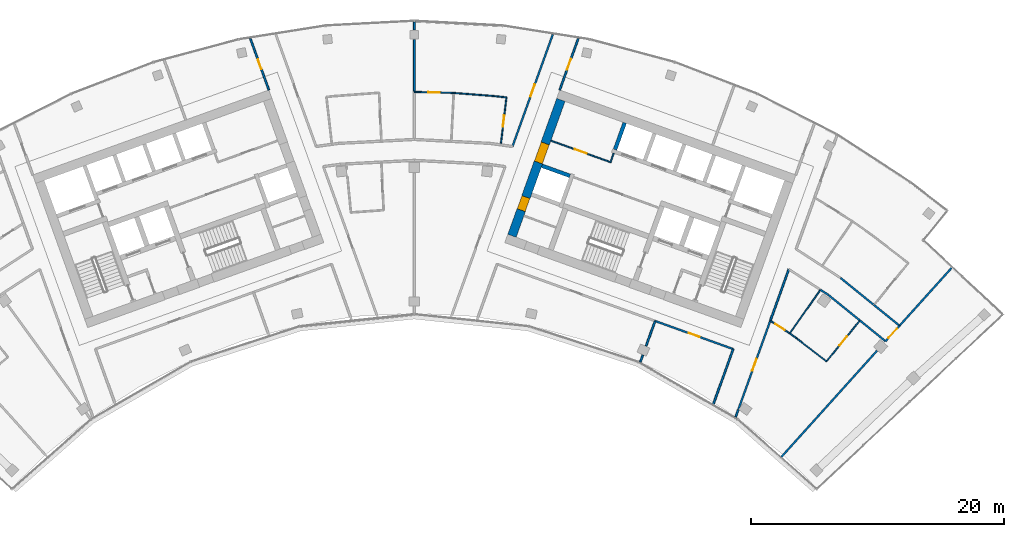
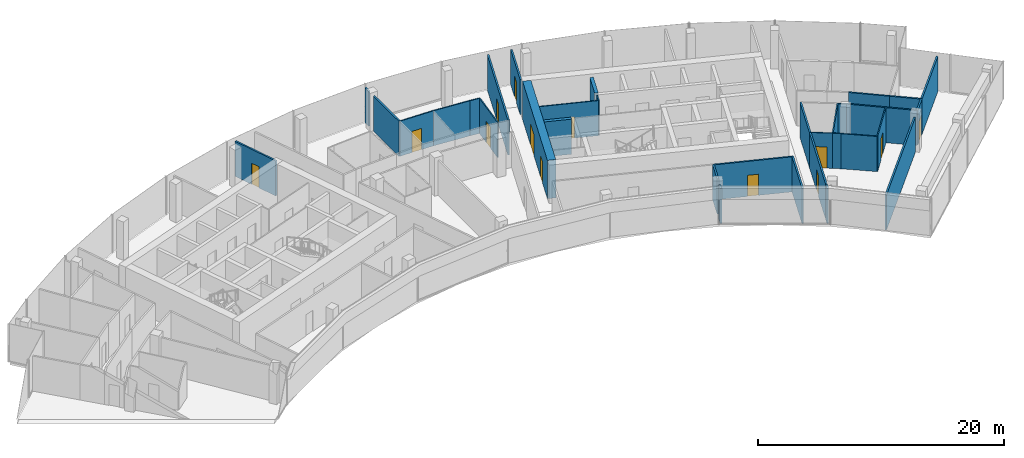
# One storey, part 15 of 18: 34 walls, 13 doors, 13 openings.
"""IFC4 building model written with IfcOpenShell, lengths in metres."""

from ifc_helpers import new_model, si_unit, direction, frame, frame_2d, origin, place, context, subcontext, project, spatial, rectangle, extrude, material, layer, layer_set, type_object, element, fill, save


model = new_model("IFC4")

# Units and contexts
model_context = context("Model", 3, precision=1e-05, world=origin(), true_north=direction((0.0, 1.0)))
body_context = subcontext(model_context, "Body", "Model", "MODEL_VIEW")
ifc_project = project(units=[si_unit("LENGTHUNIT", "METRE"), si_unit("AREAUNIT", "SQUARE_METRE"), si_unit("VOLUMEUNIT", "CUBIC_METRE"), si_unit("PLANEANGLEUNIT", "RADIAN"), si_unit("MASSUNIT", "GRAM", prefix="KILO")], contexts=[model_context])

# Site, building, storey
site_placement = place(None, origin())
site = spatial("IfcSite", under=ifc_project, at=site_placement, CompositionType="ELEMENT")
building_placement = place(site_placement, origin())
building = spatial("IfcBuilding", under=site, at=building_placement, Name="Stone Belt Terrace Tower", CompositionType="ELEMENT")
storey_placement = place(building_placement, frame((0.0, 0.0, 284.60009765625)))
storey = spatial("IfcBuildingStorey", under=building, at=storey_placement, Name="L69", CompositionType="ELEMENT", Elevation=284.60009765625)

# Wall
ifc_material_1 = material(Name="Plasterboard partition")
ifc_layer_1 = layer(ifc_material_1, 0.10009765625)
ifc_layer_set_1 = layer_set([ifc_layer_1], Name="Core partition 100")
wall_type_1 = type_object("IfcWallType", Name="Core partition 100", PredefinedType="PARTITIONING", material=ifc_layer_set_1)
wall_1_placement = place(storey_placement, frame((15.46826171875, 55.384033203125, 0.0), z_axis=(0.0, 0.0, 1.0), x_axis=(0.338481684961, 0.940972979923, 0.0)))
element("IfcWall", 1, at=wall_1_placement, inside=storey, type_object=wall_type_1, Name="Core B wall", PredefinedType="PARTITIONING", context=body_context, shape_type="SweptSolid", body=[
    extrude(rectangle(XDim=0.7998046875, YDim=0.10009765625, at=frame_2d((0.39990234375, 0.0))), origin(), (0.0, 0.0, 1.0), 3.47998046875),
])

# Wall, opening, door
wall_2_placement = place(storey_placement, frame((15.43798828125, 55.447998046875, 0.0), z_axis=(0.0, 0.0, 1.0), x_axis=(-0.940914445113, 0.338644366522, 0.0)))
wall_2 = element("IfcWall", 2, at=wall_2_placement, inside=storey, type_object=wall_type_1, Name="Core B wall", PredefinedType="PARTITIONING", context=body_context, shape_type="SweptSolid", body=[
    extrude(rectangle(XDim=4.949951171875, YDim=0.10009765625, at=frame_2d((2.47509765625, 0.0))), origin(), (0.0, 0.0, 1.0), 3.47998046875),
])
opening_1_placement = place(wall_2_placement, frame((1.949951171875, 0.0, 0.0)))
opening_1 = element("IfcOpeningElement", 3, at=opening_1_placement, cuts=wall_2, Name="Opening L69-C12", PredefinedType="OPENING", context=body_context, shape_type="SweptSolid", body=[
    extrude(rectangle(XDim=1.0, YDim=2.10009765625, at=frame_2d((0.5, 1.050048828125))), frame((0.0, 0.06005859375, 0.0), z_axis=(0.0, -1.0, 0.0), x_axis=(1.0, 0.0, 0.0)), (0.0, 0.0, 1.0), 0.1201171875),
])
ifc_material_2 = material(Name="Timber door leaf", Category="wood")
door_type_1 = type_object("IfcDoorType", Name="Core room door 1000", OperationType="SINGLE_SWING_LEFT", PredefinedType="DOOR", material=ifc_material_2)
door_1_placement = place(opening_1_placement, origin())
door_1 = element("IfcDoor", 4, at=door_1_placement, inside=storey, type_object=door_type_1, Name="Door to Server room core B", OperationType="SINGLE_SWING_LEFT", OverallHeight=2.10009765625, OverallWidth=1.0, PredefinedType="DOOR", context=body_context, shape_type="SweptSolid", body=[
    extrude(rectangle(XDim=1.0, YDim=2.10009765625, at=frame_2d((0.5, 1.050048828125))), frame((0.0, 0.02490234375, 0.0), z_axis=(0.0, -1.0, 0.0), x_axis=(1.0, 0.0, 0.0)), (0.0, 0.0, 1.0), 0.050048828125),
])
fill(opening_1, door_1)

# Wall, openings, doors
ifc_material_3 = material(Name="Concrete B60", Category="concrete")
ifc_layer_2 = layer(ifc_material_3, 0.699951171875)
ifc_layer_set_2 = layer_set([ifc_layer_2], Name="Core wall 700 B60")
wall_type_2 = type_object("IfcWallType", Name="Core wall 700 B60", PredefinedType="SHEAR", material=ifc_layer_set_2)
wall_3_placement = place(storey_placement, frame((7.70849609375, 49.621337890625, 0.0), z_axis=(0.0, 0.0, 1.0), x_axis=(0.338606471282, 0.940928083121, 0.0)))
wall_3 = element("IfcWall", 5, at=wall_3_placement, inside=storey, type_object=wall_type_2, Name="Core B wall end_a L69", PredefinedType="SHEAR", context=body_context, shape_type="SweptSolid", body=[
    extrude(rectangle(XDim=11.39990234375, YDim=0.699951171875, at=frame_2d((5.699951171875, 0.0))), origin(), (0.0, 0.0, 1.0), 3.7998046875),
])
opening_2_placement = place(wall_3_placement, frame((6.14990234375, 0.0, 0.0)))
opening_2 = element("IfcOpeningElement", 6, at=opening_2_placement, cuts=wall_3, Name="Opening L69-C15", PredefinedType="OPENING", context=body_context, shape_type="SweptSolid", body=[
    extrude(rectangle(XDim=1.60009765625, YDim=2.10009765625, at=frame_2d((0.800048828125, 1.050048828125))), frame((0.0, 0.35986328125, 0.0), z_axis=(0.0, -1.0, 0.0), x_axis=(1.0, 0.0, 0.0)), (0.0, 0.0, 1.0), 0.719970703125),
])
opening_3_placement = place(wall_3_placement, frame((2.14990234375, 0.0, 0.0)))
opening_3 = element("IfcOpeningElement", 7, at=opening_3_placement, cuts=wall_3, Name="Opening L69-C21", PredefinedType="OPENING", context=body_context, shape_type="SweptSolid", body=[
    extrude(rectangle(XDim=1.10009765625, YDim=2.10009765625, at=frame_2d((0.550048828125, 1.050048828125))), frame((0.0, 0.35986328125, 0.0), z_axis=(0.0, -1.0, 0.0), x_axis=(1.0, 0.0, 0.0)), (0.0, 0.0, 1.0), 0.719970703125),
])
door_type_2 = type_object("IfcDoorType", Name="Core room door 1100", OperationType="SINGLE_SWING_LEFT", PredefinedType="DOOR", material=ifc_material_2)
door_2_placement = place(opening_3_placement, origin())
door_2 = element("IfcDoor", 8, at=door_2_placement, inside=storey, type_object=door_type_2, Name="Door to Accessible WC core B", OperationType="SINGLE_SWING_RIGHT", OverallHeight=2.10009765625, OverallWidth=1.10009765625, PredefinedType="DOOR", context=body_context, shape_type="SweptSolid", body=[
    extrude(rectangle(XDim=1.10009765625, YDim=2.10009765625, at=frame_2d((0.550048828125, 1.050048828125))), frame((0.0, 0.330078125, 0.0), z_axis=(0.0, -1.0, 0.0), x_axis=(1.0, 0.0, 0.0)), (0.0, 0.0, 1.0), 0.659912109375),
])
fill(opening_3, door_2)
ifc_material_4 = material(Name="Glazed aluminium door leaf", Category="aluminium")
door_type_3 = type_object("IfcDoorType", Name="Lift lobby entrance door 1600", OperationType="DOUBLE_DOOR_SINGLE_SWING", PredefinedType="DOOR", material=ifc_material_4)
door_3_placement = place(opening_2_placement, origin())
door_3 = element("IfcDoor", 9, at=door_3_placement, inside=storey, type_object=door_type_3, Name="Lift lobby entrance door core B", OperationType="DOUBLE_DOOR_SINGLE_SWING", OverallHeight=2.10009765625, OverallWidth=1.60009765625, PredefinedType="DOOR", context=body_context, shape_type="SweptSolid", body=[
    extrude(rectangle(XDim=1.60009765625, YDim=2.10009765625, at=frame_2d((0.800048828125, 1.050048828125))), frame((0.0, 0.330078125, 0.0), z_axis=(0.0, -1.0, 0.0), x_axis=(1.0, 0.0, 0.0)), (0.0, 0.0, 1.0), 0.659912109375),
])
fill(opening_2, door_3)

# Walls
ifc_material_5 = material(Name="Concrete B80", Category="concrete")
ifc_layer_3 = layer(ifc_material_5, 0.300048828125)
ifc_layer_set_3 = layer_set([ifc_layer_3], Name="Lift shaft wall 300")
wall_type_3 = type_object("IfcWallType", Name="Lift shaft wall 300", PredefinedType="SHEAR", material=ifc_layer_set_3)
wall_4_placement = place(storey_placement, frame((15.8408203125, 56.419189453125, 0.0), z_axis=(0.0, 0.0, 1.0), x_axis=(0.338569601369, 0.940941350472, 0.0)))
element("IfcWall", 10, at=wall_4_placement, inside=storey, type_object=wall_type_3, Name="Core B wall", PredefinedType="SHEAR", context=body_context, shape_type="SweptSolid", body=[
    extrude(rectangle(XDim=2.249755859375, YDim=0.300048828125, at=frame_2d((1.125, 0.0))), origin(), (0.0, 0.0, 1.0), 3.47998046875),
])
wall_5_placement = place(storey_placement, frame((12.280517578125, 54.3525390625, 0.0), z_axis=(0.0, 0.0, 1.0), x_axis=(-0.940925816745, 0.338612769078, 0.0)))
element("IfcWall", 11, at=wall_5_placement, inside=storey, type_object=wall_type_3, Name="Core B wall", PredefinedType="SHEAR", context=body_context, shape_type="SweptSolid", body=[
    extrude(rectangle(XDim=2.349853515625, YDim=0.300048828125, at=frame_2d((1.1748046875, 0.0))), origin(), (0.0, 0.0, 1.0), 3.47998046875),
])

# Wall, opening, door
ifc_material_6 = material(Name="Gypsum board partition")
ifc_layer_4 = layer(ifc_material_6, 0.10009765625)
ifc_layer_set_4 = layer_set([ifc_layer_4], Name="PARTITION 100")
wall_type_4 = type_object("IfcWallType", Name="PARTITION 100", PredefinedType="PARTITIONING", material=ifc_layer_set_4)
wall_6_placement = place(storey_placement, frame((28.093017578125, 42.9208984375, 0.0), z_axis=(0.0, 0.0, 1.0), x_axis=(0.836665899721, -0.547713585958, 0.0)))
wall_6 = element("IfcWall", 12, at=wall_6_placement, inside=storey, type_object=wall_type_4, Name="L69/wall/i069", PredefinedType="PARTITIONING", context=body_context, shape_type="SweptSolid", body=[
    extrude(rectangle(XDim=1.82763671875, YDim=0.10009765625, at=frame_2d((0.913818359375, 0.0))), origin(), (0.0, 0.0, 1.0), 3.47998046875),
])
opening_4_placement = place(wall_6_placement, frame((0.4638671875, 0.0, 0.0)))
opening_4 = element("IfcOpeningElement", 13, at=opening_4_placement, cuts=wall_6, Name="Opening D-E3-19", PredefinedType="OPENING", context=body_context, shape_type="SweptSolid", body=[
    extrude(rectangle(XDim=0.89990234375, YDim=2.10009765625, at=frame_2d((0.449951171875, 1.050048828125))), frame((0.0, 0.06005859375, 0.0), z_axis=(0.0, -1.0, 0.0), x_axis=(1.0, 0.0, 0.0)), (0.0, 0.0, 1.0), 0.1201171875),
])
door_type_4 = type_object("IfcDoorType", Name="OFFICE DOOR 900 X 2100", OperationType="NOTDEFINED", PredefinedType="DOOR", material=ifc_material_2)
door_4_placement = place(opening_4_placement, origin())
door_4 = element("IfcDoor", 14, at=door_4_placement, inside=storey, type_object=door_type_4, Name="L69/door/i19", OperationType="SINGLE_SWING_RIGHT", OverallHeight=2.10009765625, OverallWidth=0.89990234375, PredefinedType="DOOR", context=body_context, shape_type="SweptSolid", body=[
    extrude(rectangle(XDim=0.89990234375, YDim=2.10009765625, at=frame_2d((0.449951171875, 1.050048828125))), frame((0.0, 0.02490234375, 0.0), z_axis=(0.0, -1.0, 0.0), x_axis=(1.0, 0.0, 0.0)), (0.0, 0.0, 1.0), 0.050048828125),
])
fill(opening_4, door_4)

# Walls
wall_7_placement = place(storey_placement, frame((29.6220703125, 41.919921875, 0.0), z_axis=(0.0, 0.0, 1.0), x_axis=(0.813170941338, -0.582024930878, 0.0)))
element("IfcWall", 15, at=wall_7_placement, inside=storey, type_object=wall_type_4, Name="L69/wall/i070", PredefinedType="PARTITIONING", context=body_context, shape_type="SweptSolid", body=[
    extrude(rectangle(XDim=0.6748046875, YDim=0.10009765625, at=frame_2d((0.33740234375, 0.0))), origin(), (0.0, 0.0, 1.0), 3.47998046875),
])
wall_8_placement = place(storey_placement, frame((30.1708984375, 41.527099609375, 0.0), z_axis=(0.0, 0.0, 1.0), x_axis=(0.791624473006, -0.611007932631, 0.0)))
element("IfcWall", 16, at=wall_8_placement, inside=storey, type_object=wall_type_4, Name="L69/wall/i071", PredefinedType="PARTITIONING", context=body_context, shape_type="SweptSolid", body=[
    extrude(rectangle(XDim=2.972412109375, YDim=0.10009765625, at=frame_2d((1.486328125, 0.0))), origin(), (0.0, 0.0, 1.0), 3.47998046875),
])

# Wall, opening, door
wall_9_placement = place(storey_placement, frame((32.52392578125, 39.7109375, 0.0), z_axis=(0.0, 0.0, 1.0), x_axis=(0.633607556463, 0.7736546157, 0.0)))
wall_9 = element("IfcWall", 17, at=wall_9_placement, inside=storey, type_object=wall_type_4, Name="L69/wall/i072", PredefinedType="PARTITIONING", context=body_context, shape_type="SweptSolid", body=[
    extrude(rectangle(XDim=4.169921875, YDim=0.10009765625, at=frame_2d((2.0849609375, 0.0))), origin(), (0.0, 0.0, 1.0), 3.47998046875),
])
opening_5_placement = place(wall_9_placement, frame((1.635009765625, 0.0, 0.0)))
opening_5 = element("IfcOpeningElement", 18, at=opening_5_placement, cuts=wall_9, Name="Opening D-E3-20", PredefinedType="OPENING", context=body_context, shape_type="SweptSolid", body=[
    extrude(rectangle(XDim=0.89990234375, YDim=2.10009765625, at=frame_2d((0.449951171875, 1.050048828125))), frame((0.0, 0.06005859375, 0.0), z_axis=(0.0, -1.0, 0.0), x_axis=(1.0, 0.0, 0.0)), (0.0, 0.0, 1.0), 0.1201171875),
])
door_5_placement = place(opening_5_placement, origin())
door_5 = element("IfcDoor", 19, at=door_5_placement, inside=storey, type_object=door_type_4, Name="L69/door/i20", OperationType="SINGLE_SWING_RIGHT", OverallHeight=2.10009765625, OverallWidth=0.89990234375, PredefinedType="DOOR", context=body_context, shape_type="SweptSolid", body=[
    extrude(rectangle(XDim=0.89990234375, YDim=2.10009765625, at=frame_2d((0.449951171875, 1.050048828125))), frame((0.0, 0.02490234375, 0.0), z_axis=(0.0, -1.0, 0.0), x_axis=(1.0, 0.0, 0.0)), (0.0, 0.0, 1.0), 0.050048828125),
])
fill(opening_5, door_5)

# Wall
wall_10_placement = place(storey_placement, frame((32.052001953125, 45.35888671875, 0.0), z_axis=(0.0, 0.0, 1.0), x_axis=(-0.577067832251, -0.816696220746, 0.0)))
element("IfcWall", 20, at=wall_10_placement, inside=storey, type_object=wall_type_4, Name="L69/wall/i073", PredefinedType="PARTITIONING", context=body_context, shape_type="SweptSolid", body=[
    extrude(rectangle(XDim=4.2109375, YDim=0.10009765625, at=frame_2d((2.10546875, 0.0))), origin(), (0.0, 0.0, 1.0), 3.47998046875),
])

# Wall, opening, door
wall_11_placement = place(storey_placement, frame((3.111083984375, 60.89404296875, 0.0), z_axis=(0.0, 0.0, 1.0), x_axis=(-0.999678913183, 0.025339110803, 0.0)))
wall_11 = element("IfcWall", 21, at=wall_11_placement, inside=storey, type_object=wall_type_4, Name="L69/wall/i106", PredefinedType="PARTITIONING", context=body_context, shape_type="SweptSolid", body=[
    extrude(rectangle(XDim=3.112060546875, YDim=0.10009765625, at=frame_2d((1.55615234375, 0.0))), origin(), (0.0, 0.0, 1.0), 3.47998046875),
])
opening_6_placement = place(wall_11_placement, frame((1.10595703125, 0.0, 0.0)))
opening_6 = element("IfcOpeningElement", 22, at=opening_6_placement, cuts=wall_11, Name="Opening D-E3-30", PredefinedType="OPENING", context=body_context, shape_type="SweptSolid", body=[
    extrude(rectangle(XDim=0.89990234375, YDim=2.10009765625, at=frame_2d((0.449951171875, 1.050048828125))), frame((0.0, 0.06005859375, 0.0), z_axis=(0.0, -1.0, 0.0), x_axis=(1.0, 0.0, 0.0)), (0.0, 0.0, 1.0), 0.1201171875),
])
door_6_placement = place(opening_6_placement, origin())
door_6 = element("IfcDoor", 23, at=door_6_placement, inside=storey, type_object=door_type_4, Name="L69/door/i30", OperationType="SINGLE_SWING_RIGHT", OverallHeight=2.10009765625, OverallWidth=0.89990234375, PredefinedType="DOOR", context=body_context, shape_type="SweptSolid", body=[
    extrude(rectangle(XDim=0.89990234375, YDim=2.10009765625, at=frame_2d((0.449951171875, 1.050048828125))), frame((0.0, 0.02490234375, 0.0), z_axis=(0.0, -1.0, 0.0), x_axis=(1.0, 0.0, 0.0)), (0.0, 0.0, 1.0), 0.050048828125),
])
fill(opening_6, door_6)

wall_12_placement = place(storey_placement, frame((6.822998046875, 56.797119140625, 0.0), z_axis=(0.0, 0.0, 1.0), x_axis=(0.119160550979, 0.992874998724, 0.0)))
wall_12 = element("IfcWall", 24, at=wall_12_placement, inside=storey, type_object=wall_type_4, Name="L69/wall/i107", PredefinedType="PARTITIONING", context=body_context, shape_type="SweptSolid", body=[
    extrude(rectangle(XDim=3.767822265625, YDim=0.10009765625, at=frame_2d((1.8837890625, 0.0))), origin(), (0.0, 0.0, 1.0), 3.47998046875),
])
opening_7_placement = place(wall_12_placement, frame((1.433837890625, 0.0, 0.0)))
opening_7 = element("IfcOpeningElement", 25, at=opening_7_placement, cuts=wall_12, Name="Opening D-E3-31", PredefinedType="OPENING", context=body_context, shape_type="SweptSolid", body=[
    extrude(rectangle(XDim=0.89990234375, YDim=2.10009765625, at=frame_2d((0.449951171875, 1.050048828125))), frame((0.0, 0.06005859375, 0.0), z_axis=(0.0, -1.0, 0.0), x_axis=(1.0, 0.0, 0.0)), (0.0, 0.0, 1.0), 0.1201171875),
])
door_7_placement = place(opening_7_placement, origin())
door_7 = element("IfcDoor", 26, at=door_7_placement, inside=storey, type_object=door_type_4, Name="L69/door/i31", OperationType="SINGLE_SWING_RIGHT", OverallHeight=2.10009765625, OverallWidth=0.89990234375, PredefinedType="DOOR", context=body_context, shape_type="SweptSolid", body=[
    extrude(rectangle(XDim=0.89990234375, YDim=2.10009765625, at=frame_2d((0.449951171875, 1.050048828125))), frame((0.0, 0.02490234375, 0.0), z_axis=(0.0, -1.0, 0.0), x_axis=(1.0, 0.0, 0.0)), (0.0, 0.0, 1.0), 0.050048828125),
])
fill(opening_7, door_7)

# Walls
wall_13_placement = place(storey_placement, frame((7.27197265625, 60.5380859375, 0.0), z_axis=(0.0, 0.0, 1.0), x_axis=(-0.993767993103, 0.111468272991, 0.0)))
element("IfcWall", 27, at=wall_13_placement, inside=storey, type_object=wall_type_4, Name="L69/wall/i108", PredefinedType="PARTITIONING", context=body_context, shape_type="SweptSolid", body=[
    extrude(rectangle(XDim=0.904541015625, YDim=0.10009765625, at=frame_2d((0.4521484375, 0.0))), origin(), (0.0, 0.0, 1.0), 3.47998046875),
])
wall_14_placement = place(storey_placement, frame((6.373046875, 60.638916015625, 0.0), z_axis=(0.0, 0.0, 1.0), x_axis=(-0.996955347629, 0.077974578121, 0.0)))
element("IfcWall", 28, at=wall_14_placement, inside=storey, type_object=wall_type_4, Name="L69/wall/i109", PredefinedType="PARTITIONING", context=body_context, shape_type="SweptSolid", body=[
    extrude(rectangle(XDim=3.27197265625, YDim=0.10009765625, at=frame_2d((1.635986328125, 0.0))), origin(), (0.0, 0.0, 1.0), 3.47998046875),
])

# Wall, opening, door
ifc_layer_5 = layer(ifc_material_6, 0.14990234375)
ifc_layer_set_5 = layer_set([ifc_layer_5], Name="PARTITION 150 EI 60")
wall_type_5 = type_object("IfcWallType", Name="PARTITION 150 EI 60", PredefinedType="PARTITIONING", material=ifc_layer_set_5)
wall_15_placement = place(storey_placement, frame((-11.47607421875, 61.125, 0.0), z_axis=(0.0, 0.0, 1.0), x_axis=(-0.338707450319, 0.940891738245, 0.0)))
wall_15 = element("IfcWall", 29, at=wall_15_placement, inside=storey, type_object=wall_type_5, Name="L69/wall/i010", PredefinedType="PARTITIONING", context=body_context, shape_type="SweptSolid", body=[
    extrude(rectangle(XDim=4.316162109375, YDim=0.14990234375, at=frame_2d((2.158203125, 0.0))), origin(), (0.0, 0.0, 1.0), 3.47998046875),
])
opening_8_placement = place(wall_15_placement, frame((1.758056640625, 0.0, 0.0)))
opening_8 = element("IfcOpeningElement", 30, at=opening_8_placement, cuts=wall_15, Name="Opening D-E3-04", PredefinedType="OPENING", context=body_context, shape_type="SweptSolid", body=[
    extrude(rectangle(XDim=0.800048828125, YDim=2.10009765625, at=frame_2d((0.39990234375, 1.050048828125))), frame((0.0, 0.0849609375, 0.0), z_axis=(0.0, -1.0, 0.0), x_axis=(1.0, 0.0, 0.0)), (0.0, 0.0, 1.0), 0.169921875),
])
door_type_5 = type_object("IfcDoorType", Name="STORE DOOR 800 X 2100", OperationType="NOTDEFINED", PredefinedType="DOOR", material=ifc_material_2)
door_8_placement = place(opening_8_placement, origin())
door_8 = element("IfcDoor", 31, at=door_8_placement, inside=storey, type_object=door_type_5, Name="L69/door/i04", OperationType="SINGLE_SWING_RIGHT", OverallHeight=2.10009765625, OverallWidth=0.800048828125, PredefinedType="DOOR", context=body_context, shape_type="SweptSolid", body=[
    extrude(rectangle(XDim=0.800048828125, YDim=2.10009765625, at=frame_2d((0.39990234375, 1.050048828125))), frame((0.0, 0.02490234375, 0.0), z_axis=(0.0, -1.0, 0.0), x_axis=(1.0, 0.0, 0.0)), (0.0, 0.0, 1.0), 0.050048828125),
])
fill(opening_8, door_8)

wall_16_placement = place(storey_placement, frame((12.93798828125, 65.18603515625, 0.0), z_axis=(0.0, 0.0, 1.0), x_axis=(-0.338707450319, -0.940891738245, 0.0)))
wall_16 = element("IfcWall", 32, at=wall_16_placement, inside=storey, type_object=wall_type_5, Name="L69/wall/i018", PredefinedType="PARTITIONING", context=body_context, shape_type="SweptSolid", body=[
    extrude(rectangle(XDim=4.316162109375, YDim=0.14990234375, at=frame_2d((2.158203125, 0.0))), origin(), (0.0, 0.0, 1.0), 3.47998046875),
])
opening_9_placement = place(wall_16_placement, frame((1.7080078125, 0.0, 0.0)))
opening_9 = element("IfcOpeningElement", 33, at=opening_9_placement, cuts=wall_16, Name="Opening D-E3-07", PredefinedType="OPENING", context=body_context, shape_type="SweptSolid", body=[
    extrude(rectangle(XDim=0.89990234375, YDim=2.10009765625, at=frame_2d((0.449951171875, 1.050048828125))), frame((0.0, 0.0849609375, 0.0), z_axis=(0.0, -1.0, 0.0), x_axis=(1.0, 0.0, 0.0)), (0.0, 0.0, 1.0), 0.169921875),
])
door_9_placement = place(opening_9_placement, origin())
door_9 = element("IfcDoor", 34, at=door_9_placement, inside=storey, type_object=door_type_4, Name="L69/door/i07", OperationType="SINGLE_SWING_RIGHT", OverallHeight=2.10009765625, OverallWidth=0.89990234375, PredefinedType="DOOR", context=body_context, shape_type="SweptSolid", body=[
    extrude(rectangle(XDim=0.89990234375, YDim=2.10009765625, at=frame_2d((0.449951171875, 1.050048828125))), frame((0.0, 0.02490234375, 0.0), z_axis=(0.0, -1.0, 0.0), x_axis=(1.0, 0.0, 0.0)), (0.0, 0.0, 1.0), 0.050048828125),
])
fill(opening_9, door_9)

wall_17_placement = place(storey_placement, frame((7.7451171875, 56.6640625, 0.0), z_axis=(0.0, 0.0, 1.0), x_axis=(0.338644933311, 0.94091424112, 0.0)))
wall_17 = element("IfcWall", 35, at=wall_17_placement, inside=storey, type_object=wall_type_5, Name="L69/wall/i020", PredefinedType="PARTITIONING", context=body_context, shape_type="SweptSolid", body=[
    extrude(rectangle(XDim=9.395263671875, YDim=0.14990234375, at=frame_2d((4.69775390625, 0.0))), origin(), (0.0, 0.0, 1.0), 3.47998046875),
])
opening_10_placement = place(wall_17_placement, frame((4.19775390625, 0.0, 0.0)))
opening_10 = element("IfcOpeningElement", 36, at=opening_10_placement, cuts=wall_17, Name="Opening D-E3-29", PredefinedType="OPENING", context=body_context, shape_type="SweptSolid", body=[
    extrude(rectangle(XDim=1.0, YDim=2.10009765625, at=frame_2d((0.5, 1.050048828125))), frame((0.0, 0.0849609375, 0.0), z_axis=(0.0, -1.0, 0.0), x_axis=(1.0, 0.0, 0.0)), (0.0, 0.0, 1.0), 0.169921875),
])
ifc_material_7 = material(Name="Timber fire door leaf", Category="wood")
door_type_6 = type_object("IfcDoorType", Name="TENANCY ENTRANCE DOOR 1000 X 2100", OperationType="NOTDEFINED", PredefinedType="DOOR", material=ifc_material_7)
door_10_placement = place(opening_10_placement, origin())
door_10 = element("IfcDoor", 37, at=door_10_placement, inside=storey, type_object=door_type_6, Name="L69/door/i29", OperationType="SINGLE_SWING_RIGHT", OverallHeight=2.10009765625, OverallWidth=1.0, PredefinedType="DOOR", context=body_context, shape_type="SweptSolid", body=[
    extrude(rectangle(XDim=1.0, YDim=2.10009765625, at=frame_2d((0.5, 1.050048828125))), frame((0.0, 0.02490234375, 0.0), z_axis=(0.0, -1.0, 0.0), x_axis=(1.0, 0.0, 0.0)), (0.0, 0.0, 1.0), 0.050048828125),
])
fill(opening_10, door_10)

# Wall
wall_18_placement = place(storey_placement, frame((23.5966796875, 36.330810546875, 0.0), z_axis=(0.0, 0.0, 1.0), x_axis=(0.338609342271, 0.94092704995, 0.0)))
element("IfcWall", 38, at=wall_18_placement, inside=storey, type_object=wall_type_5, Name="L69/wall/i021", PredefinedType="PARTITIONING", context=body_context, shape_type="SweptSolid", body=[
    extrude(rectangle(XDim=4.6318359375, YDim=0.14990234375, at=frame_2d((2.31591796875, 0.0))), origin(), (0.0, 0.0, 1.0), 3.47998046875),
])

# Wall, opening, door
wall_19_placement = place(storey_placement, frame((28.094970703125, 42.927001953125, 0.0), z_axis=(0.0, 0.0, 1.0), x_axis=(-0.338591381636, -0.94093351321, 0.0)))
wall_19 = element("IfcWall", 39, at=wall_19_placement, inside=storey, type_object=wall_type_5, Name="L69/wall/i023", PredefinedType="PARTITIONING", context=body_context, shape_type="SweptSolid", body=[
    extrude(rectangle(XDim=7.424560546875, YDim=0.14990234375, at=frame_2d((3.71240234375, 0.0))), origin(), (0.0, 0.0, 1.0), 3.47998046875),
])
opening_11_placement = place(wall_19_placement, frame((3.21240234375, 0.0, 0.0)))
opening_11 = element("IfcOpeningElement", 40, at=opening_11_placement, cuts=wall_19, Name="Opening D-E3-18", PredefinedType="OPENING", context=body_context, shape_type="SweptSolid", body=[
    extrude(rectangle(XDim=1.0, YDim=2.10009765625, at=frame_2d((0.5, 1.050048828125))), frame((0.0, 0.0849609375, 0.0), z_axis=(0.0, -1.0, 0.0), x_axis=(1.0, 0.0, 0.0)), (0.0, 0.0, 1.0), 0.169921875),
])
door_11_placement = place(opening_11_placement, origin())
door_11 = element("IfcDoor", 41, at=door_11_placement, inside=storey, type_object=door_type_6, Name="L69/door/i18", OperationType="SINGLE_SWING_RIGHT", OverallHeight=2.10009765625, OverallWidth=1.0, PredefinedType="DOOR", context=body_context, shape_type="SweptSolid", body=[
    extrude(rectangle(XDim=1.0, YDim=2.10009765625, at=frame_2d((0.5, 1.050048828125))), frame((0.0, 0.02490234375, 0.0), z_axis=(0.0, -1.0, 0.0), x_axis=(1.0, 0.0, 0.0)), (0.0, 0.0, 1.0), 0.050048828125),
])
fill(opening_11, door_11)

# Walls
wall_20_placement = place(storey_placement, frame((25.566162109375, 35.899658203125, 0.0), z_axis=(0.0, 0.0, 1.0), x_axis=(-0.338633814852, -0.940918242696, 0.0)))
element("IfcWall", 42, at=wall_20_placement, inside=storey, type_object=wall_type_5, Name="L69/wall/i024", PredefinedType="PARTITIONING", context=body_context, shape_type="SweptSolid", body=[
    extrude(rectangle(XDim=0.605712890625, YDim=0.14990234375, at=frame_2d((0.302734375, 0.0))), origin(), (0.0, 0.0, 1.0), 3.47998046875),
])
wall_21_placement = place(storey_placement, frame((29.556884765625, 46.987060546875, 0.0), z_axis=(0.0, 0.0, 1.0), x_axis=(-0.338697494678, -0.940895322073, 0.0)))
element("IfcWall", 43, at=wall_21_placement, inside=storey, type_object=wall_type_5, Name="L69/wall/i025", PredefinedType="PARTITIONING", context=body_context, shape_type="SweptSolid", body=[
    extrude(rectangle(XDim=4.327880859375, YDim=0.14990234375, at=frame_2d((2.1640625, 0.0))), origin(), (0.0, 0.0, 1.0), 3.47998046875),
])

# Wall, opening, door
wall_22_placement = place(storey_placement, frame((25.1630859375, 40.68310546875, 0.0), z_axis=(0.0, 0.0, 1.0), x_axis=(-0.940942008758, 0.338567771877, 0.0)))
wall_22 = element("IfcWall", 44, at=wall_22_placement, inside=storey, type_object=wall_type_5, Name="L69/wall/i030", PredefinedType="PARTITIONING", context=body_context, shape_type="SweptSolid", body=[
    extrude(rectangle(XDim=6.553955078125, YDim=0.14990234375, at=frame_2d((3.27685546875, 0.0))), origin(), (0.0, 0.0, 1.0), 3.47998046875),
])
opening_12_placement = place(wall_22_placement, frame((2.8271484375, 0.0, 0.0)))
opening_12 = element("IfcOpeningElement", 45, at=opening_12_placement, cuts=wall_22, Name="Opening D-E3-06", PredefinedType="OPENING", context=body_context, shape_type="SweptSolid", body=[
    extrude(rectangle(XDim=0.89990234375, YDim=2.10009765625, at=frame_2d((0.449951171875, 1.050048828125))), frame((0.0, 0.0849609375, 0.0), z_axis=(0.0, -1.0, 0.0), x_axis=(1.0, 0.0, 0.0)), (0.0, 0.0, 1.0), 0.169921875),
])
door_12_placement = place(opening_12_placement, origin())
door_12 = element("IfcDoor", 46, at=door_12_placement, inside=storey, type_object=door_type_4, Name="L69/door/i06", OperationType="SINGLE_SWING_RIGHT", OverallHeight=2.10009765625, OverallWidth=0.89990234375, PredefinedType="DOOR", context=body_context, shape_type="SweptSolid", body=[
    extrude(rectangle(XDim=0.89990234375, YDim=2.10009765625, at=frame_2d((0.449951171875, 1.050048828125))), frame((0.0, 0.02490234375, 0.0), z_axis=(0.0, -1.0, 0.0), x_axis=(1.0, 0.0, 0.0)), (0.0, 0.0, 1.0), 0.050048828125),
])
fill(opening_12, door_12)

# Walls
wall_23_placement = place(storey_placement, frame((19.001953125, 42.89990234375, 0.0), z_axis=(0.0, 0.0, 1.0), x_axis=(-0.338698888942, -0.940894820174, 0.0)))
element("IfcWall", 47, at=wall_23_placement, inside=storey, type_object=wall_type_5, Name="L69/wall/i031", PredefinedType="PARTITIONING", context=body_context, shape_type="SweptSolid", body=[
    extrude(rectangle(XDim=2.1005859375, YDim=0.14990234375, at=frame_2d((1.05029296875, 0.0))), origin(), (0.0, 0.0, 1.0), 3.47998046875),
])
wall_24_placement = place(storey_placement, frame((18.032470703125, 40.20654296875, 0.0), z_axis=(0.0, 0.0, 1.0), x_axis=(-0.33887021334, -0.940833130003, 0.0)))
element("IfcWall", 48, at=wall_24_placement, inside=storey, type_object=wall_type_5, Name="L69/wall/i032", PredefinedType="PARTITIONING", context=body_context, shape_type="SweptSolid", body=[
    extrude(rectangle(XDim=0.573486328125, YDim=0.14990234375, at=frame_2d((0.28662109375, 0.0))), origin(), (0.0, 0.0, 1.0), 3.47998046875),
])

# Wall, opening, door
wall_25_placement = place(storey_placement, frame((38.294921875, 42.530029296875, 0.0), z_axis=(0.0, 0.0, 1.0), x_axis=(-0.669037778615, -0.743228397456, 0.0)))
wall_25 = element("IfcWall", 49, at=wall_25_placement, inside=storey, type_object=wall_type_5, Name="L69/wall/i058", PredefinedType="PARTITIONING", context=body_context, shape_type="SweptSolid", body=[
    extrude(rectangle(XDim=1.661865234375, YDim=0.14990234375, at=frame_2d((0.8310546875, 0.0))), origin(), (0.0, 0.0, 1.0), 3.47998046875),
])
opening_13_placement = place(wall_25_placement, frame((0.330810546875, 0.0, 0.0)))
opening_13 = element("IfcOpeningElement", 50, at=opening_13_placement, cuts=wall_25, Name="Opening D-E3-17", PredefinedType="OPENING", context=body_context, shape_type="SweptSolid", body=[
    extrude(rectangle(XDim=1.0, YDim=2.10009765625, at=frame_2d((0.5, 1.050048828125))), frame((0.0, 0.0849609375, 0.0), z_axis=(0.0, -1.0, 0.0), x_axis=(1.0, 0.0, 0.0)), (0.0, 0.0, 1.0), 0.169921875),
])
door_13_placement = place(opening_13_placement, origin())
door_13 = element("IfcDoor", 51, at=door_13_placement, inside=storey, type_object=door_type_6, Name="L69/door/i17", OperationType="SINGLE_SWING_RIGHT", OverallHeight=2.10009765625, OverallWidth=1.0, PredefinedType="DOOR", context=body_context, shape_type="SweptSolid", body=[
    extrude(rectangle(XDim=1.0, YDim=2.10009765625, at=frame_2d((0.5, 1.050048828125))), frame((0.0, 0.02490234375, 0.0), z_axis=(0.0, -1.0, 0.0), x_axis=(1.0, 0.0, 0.0)), (0.0, 0.0, 1.0), 0.050048828125),
])
fill(opening_13, door_13)

# Walls
wall_26_placement = place(storey_placement, frame((28.97802734375, 32.182373046875, 0.0), z_axis=(0.0, 0.0, 1.0), x_axis=(0.669127577115, 0.74314755301, 0.0)))
element("IfcWall", 52, at=wall_26_placement, inside=storey, type_object=wall_type_5, Name="L69/wall/i059", PredefinedType="PARTITIONING", context=body_context, shape_type="SweptSolid", body=[
    extrude(rectangle(XDim=11.263671875, YDim=0.14990234375, at=frame_2d((5.6318359375, 0.0))), origin(), (0.0, 0.0, 1.0), 3.47998046875),
])
wall_27_placement = place(storey_placement, frame((38.287109375, 42.52099609375, 0.0), z_axis=(0.0, 0.0, 1.0), x_axis=(0.669070076375, 0.743199322457, 0.0)))
element("IfcWall", 53, at=wall_27_placement, inside=storey, type_object=wall_type_5, Name="L69/wall/i060", PredefinedType="PARTITIONING", context=body_context, shape_type="SweptSolid", body=[
    extrude(rectangle(XDim=6.1455078125, YDim=0.14990234375, at=frame_2d((3.07275390625, 0.0))), origin(), (0.0, 0.0, 1.0), 3.47998046875),
])
wall_28_placement = place(storey_placement, frame((37.18701171875, 41.300048828125, 0.0), z_axis=(0.0, 0.0, 1.0), x_axis=(-0.777118376865, 0.629354453658, 0.0)))
element("IfcWall", 54, at=wall_28_placement, inside=storey, type_object=wall_type_5, Name="L69/wall/i061", PredefinedType="PARTITIONING", context=body_context, shape_type="SweptSolid", body=[
    extrude(rectangle(XDim=2.607177734375, YDim=0.14990234375, at=frame_2d((1.3037109375, 0.0))), origin(), (0.0, 0.0, 1.0), 3.47998046875),
])
wall_29_placement = place(storey_placement, frame((35.1708984375, 42.93310546875, 0.0), z_axis=(0.0, 0.0, 1.0), x_axis=(-0.777234285816, 0.629211303897, 0.0)))
element("IfcWall", 55, at=wall_29_placement, inside=storey, type_object=wall_type_5, Name="L69/wall/i063", PredefinedType="PARTITIONING", context=body_context, shape_type="SweptSolid", body=[
    extrude(rectangle(XDim=3.222900390625, YDim=0.14990234375, at=frame_2d((1.611328125, 0.0))), origin(), (0.0, 0.0, 1.0), 3.47998046875),
])
wall_30_placement = place(storey_placement, frame((32.666015625, 44.9609375, 0.0), z_axis=(0.0, 0.0, 1.0), x_axis=(-0.838163562797, 0.545418960066, 0.0)))
element("IfcWall", 56, at=wall_30_placement, inside=storey, type_object=wall_type_5, Name="L69/wall/i064", PredefinedType="PARTITIONING", context=body_context, shape_type="SweptSolid", body=[
    extrude(rectangle(XDim=0.7373046875, YDim=0.14990234375, at=frame_2d((0.36865234375, 0.0))), origin(), (0.0, 0.0, 1.0), 3.47998046875),
])
wall_31_placement = place(storey_placement, frame((36.26611328125, 44.166015625, 0.0), z_axis=(0.0, 0.0, 1.0), x_axis=(0.777070293826, -0.629413821307, 0.0)))
element("IfcWall", 57, at=wall_31_placement, inside=storey, type_object=wall_type_5, Name="L69/wall/i065", PredefinedType="PARTITIONING", context=body_context, shape_type="SweptSolid", body=[
    extrude(rectangle(XDim=2.605712890625, YDim=0.14990234375, at=frame_2d((1.302734375, 0.0))), origin(), (0.0, 0.0, 1.0), 3.47998046875),
])
wall_32_placement = place(storey_placement, frame((33.635986328125, 46.2958984375, 0.0), z_axis=(0.0, 0.0, 1.0), x_axis=(0.777003753109, -0.629495963176, 0.0)))
element("IfcWall", 58, at=wall_32_placement, inside=storey, type_object=wall_type_5, Name="L69/wall/i068", PredefinedType="PARTITIONING", context=body_context, shape_type="SweptSolid", body=[
    extrude(rectangle(XDim=3.396240234375, YDim=0.14990234375, at=frame_2d((1.6982421875, 0.0))), origin(), (0.0, 0.0, 1.0), 3.47998046875),
])
wall_33_placement = place(storey_placement, frame((0.0, 66.5, 0.0), z_axis=(0.0, 0.0, 1.0), x_axis=(0.0, -1.0, 0.0)))
element("IfcWall", 59, at=wall_33_placement, inside=storey, type_object=wall_type_5, Name="L69/wall/i103", PredefinedType="PARTITIONING", context=body_context, shape_type="SweptSolid", body=[
    extrude(rectangle(XDim=0.631103515625, YDim=0.14990234375, at=frame_2d((0.3154296875, 0.0))), origin(), (0.0, 0.0, 1.0), 3.47998046875),
])
wall_34_placement = place(storey_placement, frame((0.0, 65.10888671875, 0.0), z_axis=(0.0, 0.0, 1.0), x_axis=(0.0, -1.0, 0.0)))
element("IfcWall", 60, at=wall_34_placement, inside=storey, type_object=wall_type_5, Name="L69/wall/i104", PredefinedType="PARTITIONING", context=body_context, shape_type="SweptSolid", body=[
    extrude(rectangle(XDim=4.141845703125, YDim=0.14990234375, at=frame_2d((2.07080078125, 0.0))), origin(), (0.0, 0.0, 1.0), 3.47998046875),
])

save(model, "model.ifc")
